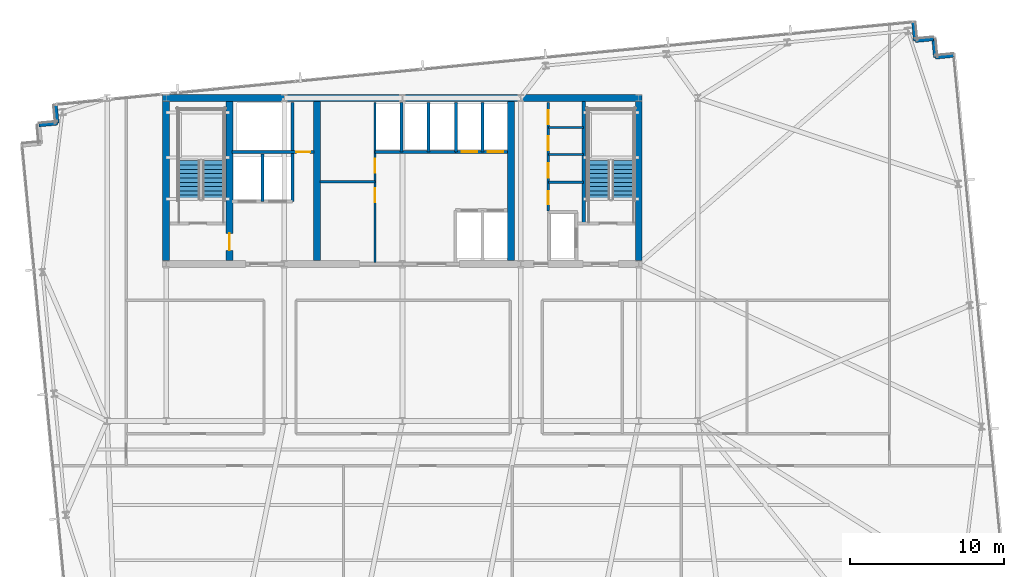
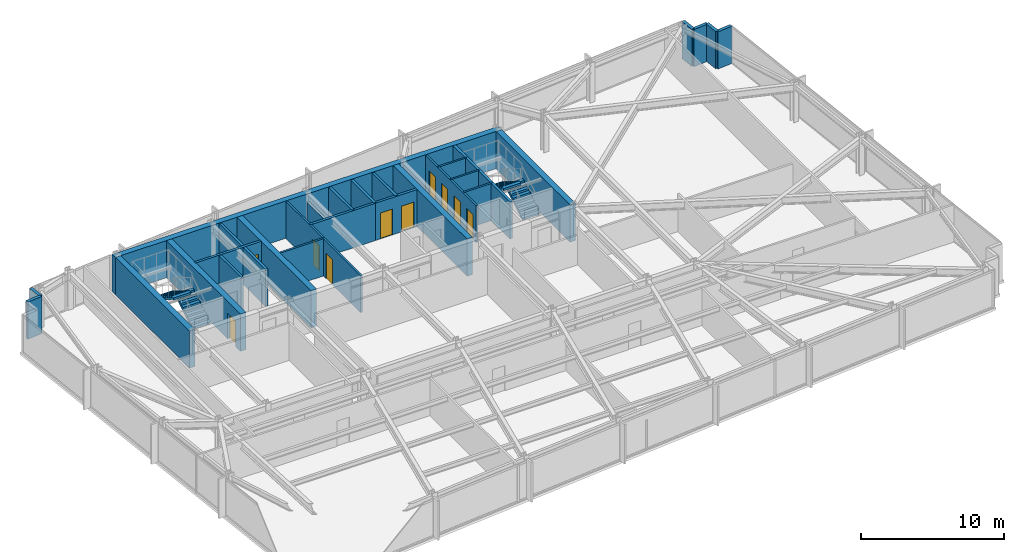
# One storey, part 26 of 32: 28 walls, 10 doors, 4 stair flights, 10 openings, 2 elements without a shape of their own.
"""IFC4 building model written with IfcOpenShell, lengths in metres."""

from ifc_helpers import new_model, si_unit, direction, frame, frame_2d, origin, place, context, subcontext, project, spatial, polyline, rectangle, outline, extrude, material, layer, layer_set, type_object, element, fill, aggregate, save


model = new_model("IFC4")

# Units and contexts
model_context = context("Model", 3, precision=1e-05, world=origin(), true_north=direction((0.0, 1.0)))
body_context = subcontext(model_context, "Body", "Model", "MODEL_VIEW")
ifc_project = project(units=[si_unit("LENGTHUNIT", "METRE"), si_unit("AREAUNIT", "SQUARE_METRE"), si_unit("VOLUMEUNIT", "CUBIC_METRE"), si_unit("PLANEANGLEUNIT", "RADIAN"), si_unit("MASSUNIT", "GRAM", prefix="KILO")], contexts=[model_context])

# Site, building, storey
site_placement = place(None, origin())
site = spatial("IfcSite", under=ifc_project, at=site_placement, CompositionType="ELEMENT")
building_placement = place(site_placement, origin())
building = spatial("IfcBuilding", under=site, at=building_placement, Name="Yelkora Congress Tower", CompositionType="ELEMENT")
storey_placement = place(building_placement, frame((0.0, 0.0, 103.300048828125)))
storey = spatial("IfcBuildingStorey", under=building, at=storey_placement, Name="L27", CompositionType="ELEMENT", Elevation=103.300048828125)

# Walls
ifc_material_1 = material(Name="Concrete C50/60", Category="concrete")
ifc_layer_1 = layer(ifc_material_1, 0.219970703125)
ifc_layer_set_1 = layer_set([ifc_layer_1], Name="Concrete C50/60")
wall_type_1 = type_object("IfcWallType", Name="WALL-CORE-INT-220", PredefinedType="SHEAR", material=ifc_layer_set_1)
wall_1_placement = place(storey_placement, frame((50.179931640625, 38.050048828125, 0.0), z_axis=(0.0, 0.0, 1.0), x_axis=(0.0, 1.0, 0.0)))
element("IfcWall", 1, at=wall_1_placement, inside=storey, type_object=wall_type_1, Name="L27 ST02 West Stair Shear Wall", PredefinedType="SHEAR", context=body_context, shape_type="SweptSolid", body=[
    extrude(rectangle(XDim=7.925048828125, YDim=0.219970703125, at=frame_2d((3.96240234375, 0.0))), origin(), (0.0, 0.0, 1.0), 3.179931640625),
])
ifc_material_2 = material(Name="Concrete C60/75", Category="concrete")
ifc_layer_2 = layer(ifc_material_2, 0.449951171875)
ifc_layer_set_2 = layer_set([ifc_layer_2], Name="Concrete C60/75")
wall_type_2 = type_object("IfcWallType", Name="WALL-CORE-INT-450", PredefinedType="SHEAR", material=ifc_layer_set_2)
wall_2_placement = place(storey_placement, frame((22.81494140625, 46.199951171875, 0.0), z_axis=(0.0, 0.0, 1.0), x_axis=(1.0, 0.0, 0.0)))
element("IfcWall", 2, at=wall_2_placement, inside=storey, type_object=wall_type_2, Name="L27 Rear Core North Shear Wall", PredefinedType="SHEAR", context=body_context, shape_type="SweptSolid", body=[
    extrude(rectangle(XDim=31.170166015625, YDim=0.449951171875, at=frame_2d((15.5849609375, 0.0))), origin(), (0.0, 0.0, 1.0), 3.179931640625),
])
wall_3_placement = place(storey_placement, frame((23.0400390625, 35.625, 0.0), z_axis=(0.0, 0.0, 1.0), x_axis=(0.0, 1.0, 0.0)))
element("IfcWall", 3, at=wall_3_placement, inside=storey, type_object=wall_type_2, Name="L27 Rear Core Cross Shear Wall W", PredefinedType="SHEAR", context=body_context, shape_type="SweptSolid", body=[
    extrude(rectangle(XDim=10.35009765625, YDim=0.449951171875, at=frame_2d((5.175048828125, 0.0))), origin(), (0.0, 0.0, 1.0), 3.179931640625),
])

# Wall, opening, door
wall_4_placement = place(storey_placement, frame((27.14990234375, 35.625, 0.0), z_axis=(0.0, 0.0, 1.0), x_axis=(0.0, 1.0, 0.0)))
wall_4 = element("IfcWall", 4, at=wall_4_placement, inside=storey, type_object=wall_type_2, Name="L27 Rear Core Cross Shear Wall C1", PredefinedType="SHEAR", context=body_context, shape_type="SweptSolid", body=[
    extrude(rectangle(XDim=10.35009765625, YDim=0.449951171875, at=frame_2d((5.175048828125, 0.0))), origin(), (0.0, 0.0, 1.0), 3.179931640625),
])
opening_1_placement = place(wall_4_placement, frame((0.675048828125, 0.0, 0.0)))
opening_1 = element("IfcOpeningElement", 5, at=opening_1_placement, cuts=wall_4, Name="Opening DR-110F9", PredefinedType="OPENING", context=body_context, shape_type="SweptSolid", body=[
    extrude(rectangle(XDim=1.10009765625, YDim=2.14990234375, at=frame_2d((0.550048828125, 1.074951171875))), frame((0.0, 0.23486328125, 0.0), z_axis=(0.0, -1.0, 0.0), x_axis=(1.0, 0.0, 0.0)), (0.0, 0.0, 1.0), 0.469970703125),
])
ifc_material_3 = material(Name="Galvanised steel fire door leaf", Category="steel")
door_type_1 = type_object("IfcDoorType", Name="DOOR-FD90-1100", OperationType="NOTDEFINED", PredefinedType="DOOR", material=ifc_material_3)
door_1_placement = place(opening_1_placement, origin())
door_1 = element("IfcDoor", 6, at=door_1_placement, inside=storey, type_object=door_type_1, Name="L27 Firefighting Stair Transfer Door", OperationType="SINGLE_SWING_LEFT", OverallHeight=2.14990234375, OverallWidth=1.10009765625, PredefinedType="DOOR", context=body_context, shape_type="SweptSolid", body=[
    extrude(rectangle(XDim=1.10009765625, YDim=2.14990234375, at=frame_2d((0.550048828125, 1.074951171875))), frame((0.0, 0.02490234375, 0.0), z_axis=(0.0, -1.0, 0.0), x_axis=(1.0, 0.0, 0.0)), (0.0, 0.0, 1.0), 0.050048828125),
])
fill(opening_1, door_1)

# Walls
for number, where, z_axis, x_axis, name in (
    (7, (32.85009765625, 35.625, 0.0), (0.0, 0.0, 1.0), (0.0, 1.0, 0.0), "L27 Rear Core Cross Shear Wall C2"),
    (8, (45.449951171875, 35.625, 0.0), (0.0, 0.0, 1.0), (0.0, 1.0, 0.0), "L27 Rear Core Cross Shear Wall C3"),
    (9, (53.760009765625, 35.625, 0.0), (0.0, 0.0, 1.0), (0.0, 1.0, 0.0), "L27 Rear Core Cross Shear Wall E"),
):
    element("IfcWall", number, at=place(storey_placement, frame(where, z_axis=z_axis, x_axis=x_axis)), inside=storey, type_object=wall_type_2, Name=name, PredefinedType="SHEAR", context=body_context, shape_type="SweptSolid", body=[
        extrude(rectangle(XDim=10.35009765625, YDim=0.449951171875, at=frame_2d((5.175048828125, 0.0))), origin(), (0.0, 0.0, 1.0), 3.179931640625),
    ])
ifc_material_4 = material(Name="Concrete C40/50", Category="concrete")
ifc_layer_3 = layer(ifc_material_4, 0.239990234375)
ifc_layer_set_3 = layer_set([ifc_layer_3], Name="Concrete C40/50")
wall_type_3 = type_object("IfcWallType", Name="WALL-EXT-LIMESTONE-240", PredefinedType="SOLIDWALL", material=ifc_layer_set_3)
for number, where, z_axis, x_axis, name in (
    (10, (14.7705078125, 44.436279296875, 0.0), (0.0, 0.0, 1.0), (0.995397091755, 0.095836473879, 0.0), "L27 Serrated Corner Limestone Pier 8"),
    (11, (15.96484375, 44.55126953125, 0.0), (0.0, 0.0, 1.0), (-0.095836473879, 0.995397091755, 0.0), "L27 Serrated Corner Limestone Pier 9"),
):
    element("IfcWall", number, at=place(storey_placement, frame(where, z_axis=z_axis, x_axis=x_axis)), inside=storey, type_object=wall_type_3, Name=name, PredefinedType="SOLIDWALL", context=body_context, shape_type="SweptSolid", body=[
        extrude(rectangle(XDim=1.199951171875, YDim=0.239990234375, at=frame_2d((0.60009765625, 0.0))), origin(), (0.0, 0.0, 1.0), 3.179931640625),
    ])
for number, where, z_axis, x_axis, name in (
    (12, (71.61181640625, 51.114990234375, 0.0), (0.0, 0.0, 1.0), (0.095817067274, -0.995398960025, 0.0), "L27 Serrated Corner Limestone Pier 11"),
    (13, (71.726806640625, 49.92041015625, 0.0), (0.0, 0.0, 1.0), (0.995398960025, 0.095817067274, 0.0), "L27 Serrated Corner Limestone Pier 12"),
    (14, (72.92138671875, 50.035400390625, 0.0), (0.0, 0.0, 1.0), (0.095817067274, -0.995398960025, 0.0), "L27 Serrated Corner Limestone Pier 13"),
    (15, (73.036376953125, 48.8408203125, 0.0), (0.0, 0.0, 1.0), (0.995379537303, 0.096018626938, 0.0), "L27 Serrated Corner Limestone Pier 14"),
):
    element("IfcWall", number, at=place(storey_placement, frame(where, z_axis=z_axis, x_axis=x_axis)), inside=storey, type_object=wall_type_3, Name=name, PredefinedType="SOLIDWALL", context=body_context, shape_type="SweptSolid", body=[
        extrude(rectangle(XDim=1.2001953125, YDim=0.239990234375, at=frame_2d((0.60009765625, 0.0))), origin(), (0.0, 0.0, 1.0), 3.179931640625),
    ])
ifc_material_5 = material(Name="Acoustic metal-stud gypsum partition", Category="gypsum")
ifc_layer_4 = layer(ifc_material_5, 0.14990234375)
ifc_layer_set_4 = layer_set([ifc_layer_4], Name="Acoustic metal-stud gypsum partition")
wall_type_4 = type_object("IfcWallType", Name="WALL-INT-150-NR", PredefinedType="PARTITIONING", material=ifc_layer_set_4)
for number, where, z_axis, x_axis, name in (
    (16, (47.8798828125, 40.719970703125, 0.0), (0.0, 0.0, 1.0), (1.0, 0.0, 0.0), "L27 Partition Wall 24"),
    (17, (47.8798828125, 42.52001953125, 0.0), (0.0, 0.0, 1.0), (1.0, 0.0, 0.0), "L27 Partition Wall 25"),
    (18, (47.8798828125, 44.280029296875, 0.0), (0.0, 0.0, 1.0), (1.0, 0.0, 0.0), "L27 Partition Wall 26"),
):
    element("IfcWall", number, at=place(storey_placement, frame(where, z_axis=z_axis, x_axis=x_axis)), inside=storey, type_object=wall_type_4, Name=name, PredefinedType="PARTITIONING", context=body_context, shape_type="SweptSolid", body=[
        extrude(rectangle(XDim=2.300048828125, YDim=0.14990234375, at=frame_2d((1.14990234375, 0.0))), origin(), (0.0, 0.0, 1.0), 3.179931640625),
    ])

# Wall, openings, doors
wall_5_placement = place(storey_placement, frame((47.8798828125, 38.85009765625, 0.0), z_axis=(0.0, 0.0, 1.0), x_axis=(0.0, 1.0, 0.0)))
wall_5 = element("IfcWall", 19, at=wall_5_placement, inside=storey, type_object=wall_type_4, Name="L27 Partition Wall 27", PredefinedType="PARTITIONING", context=body_context, shape_type="SweptSolid", body=[
    extrude(rectangle(XDim=7.06982421875, YDim=0.14990234375, at=frame_2d((3.534912109375, 0.0))), origin(), (0.0, 0.0, 1.0), 3.179931640625),
])
opening_2_placement = place(wall_5_placement, frame((0.449951171875, 0.0, 0.0)))
opening_2 = element("IfcOpeningElement", 20, at=opening_2_placement, cuts=wall_5, Name="Opening DR-085N", PredefinedType="OPENING", context=body_context, shape_type="SweptSolid", body=[
    extrude(rectangle(XDim=0.85009765625, YDim=2.14990234375, at=frame_2d((0.425048828125, 1.074951171875))), frame((0.0, 0.0849609375, 0.0), z_axis=(0.0, -1.0, 0.0), x_axis=(1.0, 0.0, 0.0)), (0.0, 0.0, 1.0), 0.169921875),
])
opening_3_placement = place(wall_5_placement, frame((2.14990234375, 0.0, 0.0)))
opening_3 = element("IfcOpeningElement", 21, at=opening_3_placement, cuts=wall_5, Name="Opening DR-095N", PredefinedType="OPENING", context=body_context, shape_type="SweptSolid", body=[
    extrude(rectangle(XDim=0.949951171875, YDim=2.14990234375, at=frame_2d((0.47509765625, 1.074951171875))), frame((0.0, 0.0849609375, 0.0), z_axis=(0.0, -1.0, 0.0), x_axis=(1.0, 0.0, 0.0)), (0.0, 0.0, 1.0), 0.169921875),
])
opening_4_placement = place(wall_5_placement, frame((3.949951171875, 0.0, 0.0)))
opening_4 = element("IfcOpeningElement", 22, at=opening_4_placement, cuts=wall_5, Name="Opening DR-090N", PredefinedType="OPENING", context=body_context, shape_type="SweptSolid", body=[
    extrude(rectangle(XDim=0.89990234375, YDim=2.14990234375, at=frame_2d((0.449951171875, 1.074951171875))), frame((0.0, 0.0849609375, 0.0), z_axis=(0.0, -1.0, 0.0), x_axis=(1.0, 0.0, 0.0)), (0.0, 0.0, 1.0), 0.169921875),
])
opening_5_placement = place(wall_5_placement, frame((5.64990234375, 0.0, 0.0)))
opening_5 = element("IfcOpeningElement", 23, at=opening_5_placement, cuts=wall_5, Name="Opening DR-090N", PredefinedType="OPENING", context=body_context, shape_type="SweptSolid", body=[
    extrude(rectangle(XDim=0.89990234375, YDim=2.14990234375, at=frame_2d((0.449951171875, 1.074951171875))), frame((0.0, 0.0849609375, 0.0), z_axis=(0.0, -1.0, 0.0), x_axis=(1.0, 0.0, 0.0)), (0.0, 0.0, 1.0), 0.169921875),
])
ifc_material_6 = material(Name="Laminate service store door leaf", Category="wood")
door_type_2 = type_object("IfcDoorType", Name="DOOR-INT-850", OperationType="NOTDEFINED", PredefinedType="DOOR", material=ifc_material_6)
door_2_placement = place(opening_2_placement, origin())
door_2 = element("IfcDoor", 24, at=door_2_placement, inside=storey, type_object=door_type_2, Name="L27 Janitor Room Door", OperationType="SINGLE_SWING_RIGHT", OverallHeight=2.14990234375, OverallWidth=0.85009765625, PredefinedType="DOOR", context=body_context, shape_type="SweptSolid", body=[
    extrude(rectangle(XDim=0.85009765625, YDim=2.14990234375, at=frame_2d((0.425048828125, 1.074951171875))), frame((0.0, 0.02490234375, 0.0), z_axis=(0.0, -1.0, 0.0), x_axis=(1.0, 0.0, 0.0)), (0.0, 0.0, 1.0), 0.050048828125),
])
fill(opening_2, door_2)
ifc_material_7 = material(Name="Moisture-resistant laminate door leaf", Category="wood")
door_type_3 = type_object("IfcDoorType", Name="DOOR-INT-900", OperationType="NOTDEFINED", PredefinedType="DOOR", material=ifc_material_7)
door_3_placement = place(opening_4_placement, origin())
door_3 = element("IfcDoor", 25, at=door_3_placement, inside=storey, type_object=door_type_3, Name="L27 Male WC Door", OperationType="SINGLE_SWING_RIGHT", OverallHeight=2.14990234375, OverallWidth=0.89990234375, PredefinedType="DOOR", context=body_context, shape_type="SweptSolid", body=[
    extrude(rectangle(XDim=0.89990234375, YDim=2.14990234375, at=frame_2d((0.449951171875, 1.074951171875))), frame((0.0, 0.02490234375, 0.0), z_axis=(0.0, -1.0, 0.0), x_axis=(1.0, 0.0, 0.0)), (0.0, 0.0, 1.0), 0.050048828125),
])
fill(opening_4, door_3)
door_4_placement = place(opening_5_placement, origin())
door_4 = element("IfcDoor", 26, at=door_4_placement, inside=storey, type_object=door_type_3, Name="L27 Female WC Door", OperationType="SINGLE_SWING_LEFT", OverallHeight=2.14990234375, OverallWidth=0.89990234375, PredefinedType="DOOR", context=body_context, shape_type="SweptSolid", body=[
    extrude(rectangle(XDim=0.89990234375, YDim=2.14990234375, at=frame_2d((0.449951171875, 1.074951171875))), frame((0.0, 0.02490234375, 0.0), z_axis=(0.0, -1.0, 0.0), x_axis=(1.0, 0.0, 0.0)), (0.0, 0.0, 1.0), 0.050048828125),
])
fill(opening_5, door_4)
ifc_material_8 = material(Name="Acoustic laminated timber office door", Category="wood")
door_type_4 = type_object("IfcDoorType", Name="DOOR-INT-950", OperationType="NOTDEFINED", PredefinedType="DOOR", material=ifc_material_8)
door_5_placement = place(opening_3_placement, origin())
door_5 = element("IfcDoor", 27, at=door_5_placement, inside=storey, type_object=door_type_4, Name="L27 Accessible WC Door", OperationType="SINGLE_SWING_LEFT", OverallHeight=2.14990234375, OverallWidth=0.949951171875, PredefinedType="DOOR", context=body_context, shape_type="SweptSolid", body=[
    extrude(rectangle(XDim=0.949951171875, YDim=2.14990234375, at=frame_2d((0.47509765625, 1.074951171875))), frame((0.0, 0.02490234375, 0.0), z_axis=(0.0, -1.0, 0.0), x_axis=(1.0, 0.0, 0.0)), (0.0, 0.0, 1.0), 0.050048828125),
])
fill(opening_3, door_5)

# Wall
ifc_material_9 = material(Name="Twin-stud fire-rated gypsum partition", Category="gypsum")
ifc_layer_5 = layer(ifc_material_9, 0.14990234375)
ifc_layer_set_5 = layer_set([ifc_layer_5], Name="Twin-stud fire-rated gypsum partition")
wall_type_5 = type_object("IfcWallType", Name="WALL-INT-150-R60", PredefinedType="PARTITIONING", material=ifc_layer_set_5)
wall_6_placement = place(storey_placement, frame((33.050048828125, 40.75, 0.0), z_axis=(0.0, 0.0, 1.0), x_axis=(1.0, 0.0, 0.0)))
element("IfcWall", 28, at=wall_6_placement, inside=storey, type_object=wall_type_5, Name="L27 Partition Wall 11", PredefinedType="PARTITIONING", context=body_context, shape_type="SweptSolid", body=[
    extrude(rectangle(XDim=3.570068359375, YDim=0.14990234375, at=frame_2d((1.78515625, 0.0))), origin(), (0.0, 0.0, 1.0), 3.179931640625),
])

# Wall, openings, doors
wall_7_placement = place(storey_placement, frame((36.6201171875, 35.5, 0.0), z_axis=(0.0, 0.0, 1.0), x_axis=(0.0, 1.0, 0.0)))
wall_7 = element("IfcWall", 29, at=wall_7_placement, inside=storey, type_object=wall_type_5, Name="L27 Partition Wall 12", PredefinedType="PARTITIONING", context=body_context, shape_type="SweptSolid", body=[
    extrude(rectangle(XDim=10.419921875, YDim=0.14990234375, at=frame_2d((5.2099609375, 0.0))), origin(), (0.0, 0.0, 1.0), 3.179931640625),
])
opening_6_placement = place(wall_7_placement, frame((3.919921875, 0.0, 0.0)))
opening_6 = element("IfcOpeningElement", 30, at=opening_6_placement, cuts=wall_7, Name="Opening DR-090F6", PredefinedType="OPENING", context=body_context, shape_type="SweptSolid", body=[
    extrude(rectangle(XDim=0.89990234375, YDim=2.14990234375, at=frame_2d((0.449951171875, 1.074951171875))), frame((0.0, 0.0849609375, 0.0), z_axis=(0.0, -1.0, 0.0), x_axis=(1.0, 0.0, 0.0)), (0.0, 0.0, 1.0), 0.169921875),
])
opening_7_placement = place(wall_7_placement, frame((5.85009765625, 0.0, 0.0)))
opening_7 = element("IfcOpeningElement", 31, at=opening_7_placement, cuts=wall_7, Name="Opening DR-090F6", PredefinedType="OPENING", context=body_context, shape_type="SweptSolid", body=[
    extrude(rectangle(XDim=0.89990234375, YDim=2.14990234375, at=frame_2d((0.449951171875, 1.074951171875))), frame((0.0, 0.0849609375, 0.0), z_axis=(0.0, -1.0, 0.0), x_axis=(1.0, 0.0, 0.0)), (0.0, 0.0, 1.0), 0.169921875),
])
ifc_material_10 = material(Name="Painted steel riser fire door leaf", Category="steel")
door_type_5 = type_object("IfcDoorType", Name="DOOR-FD60-900", OperationType="NOTDEFINED", PredefinedType="DOOR", material=ifc_material_10)
door_6_placement = place(opening_6_placement, origin())
door_6 = element("IfcDoor", 32, at=door_6_placement, inside=storey, type_object=door_type_5, Name="L27 Telecom Store Door", OperationType="SINGLE_SWING_LEFT", OverallHeight=2.14990234375, OverallWidth=0.89990234375, PredefinedType="DOOR", context=body_context, shape_type="SweptSolid", body=[
    extrude(rectangle(XDim=0.89990234375, YDim=2.14990234375, at=frame_2d((0.449951171875, 1.074951171875))), frame((0.0, 0.02490234375, 0.0), z_axis=(0.0, -1.0, 0.0), x_axis=(1.0, 0.0, 0.0)), (0.0, 0.0, 1.0), 0.050048828125),
])
fill(opening_6, door_6)
door_7_placement = place(opening_7_placement, origin())
door_7 = element("IfcDoor", 33, at=door_7_placement, inside=storey, type_object=door_type_5, Name="L27 Archive Store Door", OperationType="SINGLE_SWING_RIGHT", OverallHeight=2.14990234375, OverallWidth=0.89990234375, PredefinedType="DOOR", context=body_context, shape_type="SweptSolid", body=[
    extrude(rectangle(XDim=0.89990234375, YDim=2.14990234375, at=frame_2d((0.449951171875, 1.074951171875))), frame((0.0, 0.02490234375, 0.0), z_axis=(0.0, -1.0, 0.0), x_axis=(1.0, 0.0, 0.0)), (0.0, 0.0, 1.0), 0.050048828125),
])
fill(opening_7, door_7)

# Walls
ifc_material_11 = material(Name="Autoclaved aerated concrete blockwork", Category="masonry")
ifc_layer_6 = layer(ifc_material_11, 0.199951171875)
ifc_layer_set_6 = layer_set([ifc_layer_6], Name="Autoclaved aerated concrete blockwork")
wall_type_6 = type_object("IfcWallType", Name="WALL-INT-200-R120", PredefinedType="PARTITIONING", material=ifc_layer_set_6)
wall_8_placement = place(storey_placement, frame((29.300048828125, 39.47998046875, 0.0), z_axis=(0.0, 0.0, 1.0), x_axis=(0.0, 1.0, 0.0)))
element("IfcWall", 34, at=wall_8_placement, inside=storey, type_object=wall_type_6, Name="L27 Partition Wall 4", PredefinedType="PARTITIONING", context=body_context, shape_type="SweptSolid", body=[
    extrude(rectangle(XDim=3.070068359375, YDim=0.199951171875, at=frame_2d((1.53515625, 0.0))), origin(), (0.0, 0.0, 1.0), 3.179931640625),
])
wall_9_placement = place(storey_placement, frame((31.260009765625, 39.47998046875, 0.0), z_axis=(0.0, 0.0, 1.0), x_axis=(0.0, 1.0, 0.0)))
element("IfcWall", 35, at=wall_9_placement, inside=storey, type_object=wall_type_6, Name="L27 Partition Wall 5", PredefinedType="PARTITIONING", context=body_context, shape_type="SweptSolid", body=[
    extrude(rectangle(XDim=6.43994140625, YDim=0.199951171875, at=frame_2d((3.219970703125, 0.0))), origin(), (0.0, 0.0, 1.0), 3.179931640625),
])

# Wall, opening, door
wall_10_placement = place(storey_placement, frame((27.320068359375, 42.679931640625, 0.0), z_axis=(0.0, 0.0, 1.0), x_axis=(1.0, 0.0, 0.0)))
wall_10 = element("IfcWall", 36, at=wall_10_placement, inside=storey, type_object=wall_type_6, Name="L27 Smoke Riser South Wall", PredefinedType="PARTITIONING", context=body_context, shape_type="SweptSolid", body=[
    extrude(rectangle(XDim=5.329833984375, YDim=0.199951171875, at=frame_2d((2.6650390625, 0.0))), origin(), (0.0, 0.0, 1.0), 3.179931640625),
])
opening_8_placement = place(wall_10_placement, frame((4.179931640625, 0.0, 0.0)))
opening_8 = element("IfcOpeningElement", 37, at=opening_8_placement, cuts=wall_10, Name="Opening DR-090F6", PredefinedType="OPENING", context=body_context, shape_type="SweptSolid", body=[
    extrude(rectangle(XDim=0.89990234375, YDim=2.14990234375, at=frame_2d((0.449951171875, 1.074951171875))), frame((0.0, 0.10986328125, 0.0), z_axis=(0.0, -1.0, 0.0), x_axis=(1.0, 0.0, 0.0)), (0.0, 0.0, 1.0), 0.219970703125),
])
door_8_placement = place(opening_8_placement, origin())
door_8 = element("IfcDoor", 38, at=door_8_placement, inside=storey, type_object=door_type_5, Name="L27 Riser Access Door", OperationType="SINGLE_SWING_LEFT", OverallHeight=2.14990234375, OverallWidth=0.89990234375, PredefinedType="DOOR", context=body_context, shape_type="SweptSolid", body=[
    extrude(rectangle(XDim=0.89990234375, YDim=2.14990234375, at=frame_2d((0.449951171875, 1.074951171875))), frame((0.0, 0.02490234375, 0.0), z_axis=(0.0, -1.0, 0.0), x_axis=(1.0, 0.0, 0.0)), (0.0, 0.0, 1.0), 0.050048828125),
])
fill(opening_8, door_8)

# Walls
wall_11_placement = place(storey_placement, frame((36.60009765625, 42.699951171875, 0.0), z_axis=(0.0, 0.0, 1.0), x_axis=(1.0, 0.0, 0.0)))
element("IfcWall", 39, at=wall_11_placement, inside=storey, type_object=wall_type_6, Name="L27 Partition Wall 8", PredefinedType="PARTITIONING", context=body_context, shape_type="SweptSolid", body=[
    extrude(rectangle(XDim=5.25, YDim=0.199951171875, at=frame_2d((2.625, 0.0))), origin(), (0.0, 0.0, 1.0), 3.179931640625),
])
wall_12_placement = place(storey_placement, frame((38.35009765625, 42.699951171875, 0.0), z_axis=(0.0, 0.0, 1.0), x_axis=(0.0, 1.0, 0.0)))
element("IfcWall", 40, at=wall_12_placement, inside=storey, type_object=wall_type_6, Name="L27 Partition Wall 9", PredefinedType="PARTITIONING", context=body_context, shape_type="SweptSolid", body=[
    extrude(rectangle(XDim=3.219970703125, YDim=0.199951171875, at=frame_2d((1.60986328125, 0.0))), origin(), (0.0, 0.0, 1.0), 2.52490234375),
])
wall_13_placement = place(storey_placement, frame((40.10009765625, 42.699951171875, 0.0), z_axis=(0.0, 0.0, 1.0), x_axis=(0.0, 1.0, 0.0)))
element("IfcWall", 41, at=wall_13_placement, inside=storey, type_object=wall_type_6, Name="L27 Partition Wall 10", PredefinedType="PARTITIONING", context=body_context, shape_type="SweptSolid", body=[
    extrude(rectangle(XDim=3.219970703125, YDim=0.199951171875, at=frame_2d((1.60986328125, 0.0))), origin(), (0.0, 0.0, 1.0), 3.179931640625),
])

# Wall, openings, doors
wall_14_placement = place(storey_placement, frame((41.85009765625, 42.699951171875, 0.0), z_axis=(0.0, 0.0, 1.0), x_axis=(1.0, 0.0, 0.0)))
wall_14 = element("IfcWall", 42, at=wall_14_placement, inside=storey, type_object=wall_type_6, Name="L27 Partition Wall 14", PredefinedType="PARTITIONING", context=body_context, shape_type="SweptSolid", body=[
    extrude(rectangle(XDim=3.369873046875, YDim=0.199951171875, at=frame_2d((1.68505859375, 0.0))), origin(), (0.0, 0.0, 1.0), 3.179931640625),
])
opening_9_placement = place(wall_14_placement, frame((0.39990234375, 0.0, 0.0)))
opening_9 = element("IfcOpeningElement", 43, at=opening_9_placement, cuts=wall_14, Name="Opening LD-PS10", PredefinedType="OPENING", context=body_context, shape_type="SweptSolid", body=[
    extrude(rectangle(XDim=1.0, YDim=2.199951171875, at=frame_2d((0.5, 1.10009765625))), frame((0.0, 0.10986328125, 0.0), z_axis=(0.0, -1.0, 0.0), x_axis=(1.0, 0.0, 0.0)), (0.0, 0.0, 1.0), 0.219970703125),
])
opening_10_placement = place(wall_14_placement, frame((2.10009765625, 0.0, 0.0)))
opening_10 = element("IfcOpeningElement", 44, at=opening_10_placement, cuts=wall_14, Name="Opening LD-PS10", PredefinedType="OPENING", context=body_context, shape_type="SweptSolid", body=[
    extrude(rectangle(XDim=1.0, YDim=2.199951171875, at=frame_2d((0.5, 1.10009765625))), frame((0.0, 0.10986328125, 0.0), z_axis=(0.0, -1.0, 0.0), x_axis=(1.0, 0.0, 0.0)), (0.0, 0.0, 1.0), 0.219970703125),
])
ifc_material_12 = material(Name="Champagne stainless steel landing door", Category="steel")
door_type_6 = type_object("IfcDoorType", Name="DOOR-LIFT-PAS-1000", OperationType="DOUBLE_DOOR_SLIDING", PredefinedType="DOOR", material=ifc_material_12)
door_9_placement = place(opening_9_placement, origin())
door_9 = element("IfcDoor", 45, at=door_9_placement, inside=storey, type_object=door_type_6, Name="Lift Landing Door LF-P7 L27", OperationType="DOUBLE_DOOR_SLIDING", OverallHeight=2.199951171875, OverallWidth=1.0, PredefinedType="DOOR", context=body_context, shape_type="SweptSolid", body=[
    extrude(rectangle(XDim=1.0, YDim=2.199951171875, at=frame_2d((0.5, 1.10009765625))), frame((0.0, 0.02490234375, 0.0), z_axis=(0.0, -1.0, 0.0), x_axis=(1.0, 0.0, 0.0)), (0.0, 0.0, 1.0), 0.050048828125),
])
fill(opening_9, door_9)
door_10_placement = place(opening_10_placement, origin())
door_10 = element("IfcDoor", 46, at=door_10_placement, inside=storey, type_object=door_type_6, Name="Lift Landing Door LF-P8 L27", OperationType="DOUBLE_DOOR_SLIDING", OverallHeight=2.199951171875, OverallWidth=1.0, PredefinedType="DOOR", context=body_context, shape_type="SweptSolid", body=[
    extrude(rectangle(XDim=1.0, YDim=2.199951171875, at=frame_2d((0.5, 1.10009765625))), frame((0.0, 0.02490234375, 0.0), z_axis=(0.0, -1.0, 0.0), x_axis=(1.0, 0.0, 0.0)), (0.0, 0.0, 1.0), 0.050048828125),
])
fill(opening_10, door_10)

# Walls
for number, where, z_axis, x_axis, name in (
    (47, (43.60009765625, 42.699951171875, 0.0), (0.0, 0.0, 1.0), (0.0, 1.0, 0.0), "L27 Partition Wall 16"),
    (48, (41.8798828125, 42.699951171875, 0.0), (0.0, 0.0, 1.0), (0.0, 1.0, 0.0), "L27 Partition Wall 18"),
):
    element("IfcWall", number, at=place(storey_placement, frame(where, z_axis=z_axis, x_axis=x_axis)), inside=storey, type_object=wall_type_6, Name=name, PredefinedType="PARTITIONING", context=body_context, shape_type="SweptSolid", body=[
        extrude(rectangle(XDim=3.219970703125, YDim=0.199951171875, at=frame_2d((1.60986328125, 0.0))), origin(), (0.0, 0.0, 1.0), 3.179931640625),
    ])

# Stair, stair flights
stair_type = type_object("IfcStairType", Name="STAIR-HT-1420-R20-170", PredefinedType="HALF_TURN_STAIR", material=ifc_material_4)
stair_1_placement = place(storey_placement, origin())
stair_1 = element("IfcStair", 49, at=stair_1_placement, inside=storey, type_object=stair_type, Name="West Core Protected Exit Stair ST-01 (L27)", PredefinedType="HALF_TURN_STAIR")
stair_flight_type = type_object("IfcStairFlightType", Name="FLIGHT-1420-N10-R170-G280", PredefinedType="STRAIGHT", material=ifc_material_4)
stair_flight_1_placement = place(storey_placement, frame((26.110107421875, 39.60009765625, 0.0), z_axis=(0.0, 0.0, 1.0), x_axis=(0.0, 1.0, 0.0)))
stair_flight_1 = element("IfcStairFlight", 50, at=stair_flight_1_placement, type_object=stair_flight_type, Name="ST-01 L27 Flight 1", NumberOfRisers=10, NumberOfTreads=9, PredefinedType="STRAIGHT", RiserHeight=0.17, TreadLength=0.28, context=body_context, shape_type="SweptSolid", body=[
    extrude(outline(polyline([(0.0, 0.0), (0.0, 0.169921875), (0.280029296875, 0.169921875), (0.280029296875, 0.340087890625), (0.56005859375, 0.340087890625), (0.56005859375, 0.510009765625), (0.840087890625, 0.510009765625), (0.840087890625, 0.679931640625), (1.1201171875, 0.679931640625), (1.1201171875, 0.85009765625), (1.39990234375, 0.85009765625), (1.39990234375, 1.02001953125), (1.679931640625, 1.02001953125), (1.679931640625, 1.18994140625), (1.9599609375, 1.18994140625), (1.9599609375, 1.360107421875), (2.239990234375, 1.360107421875), (2.239990234375, 1.530029296875), (2.52001953125, 1.530029296875), (2.52001953125, 1.699951171875), (2.52001953125, 1.343017578125), (0.30810546875, 0.0), (0.0, 0.0)])), frame((0.0, 0.7099609375, 0.0), z_axis=(0.0, -1.0, 0.0), x_axis=(1.0, 0.0, 0.0)), (0.0, 0.0, 1.0), 1.419921875),
])
stair_flight_2_placement = place(storey_placement, frame((24.530029296875, 42.1201171875, 1.699951171875), z_axis=(0.0, 0.0, 1.0), x_axis=(0.0, -1.0, 0.0)))
stair_flight_2 = element("IfcStairFlight", 51, at=stair_flight_2_placement, type_object=stair_flight_type, Name="ST-01 L27 Flight 2", NumberOfRisers=10, NumberOfTreads=9, PredefinedType="STRAIGHT", RiserHeight=0.17, TreadLength=0.28, context=body_context, shape_type="SweptSolid", body=[
    extrude(outline(polyline([(0.0, 0.0), (0.0, 0.169921875), (0.280029296875, 0.169921875), (0.280029296875, 0.340087890625), (0.56005859375, 0.340087890625), (0.56005859375, 0.510009765625), (0.840087890625, 0.510009765625), (0.840087890625, 0.679931640625), (1.1201171875, 0.679931640625), (1.1201171875, 0.85009765625), (1.39990234375, 0.85009765625), (1.39990234375, 1.02001953125), (1.679931640625, 1.02001953125), (1.679931640625, 1.18994140625), (1.9599609375, 1.18994140625), (1.9599609375, 1.360107421875), (2.239990234375, 1.360107421875), (2.239990234375, 1.530029296875), (2.52001953125, 1.530029296875), (2.52001953125, 1.699951171875), (2.52001953125, 1.343017578125), (0.30810546875, 0.0), (0.0, 0.0)])), frame((0.0, 0.7099609375, 0.0), z_axis=(0.0, -1.0, 0.0), x_axis=(1.0, 0.0, 0.0)), (0.0, 0.0, 1.0), 1.419921875),
])
aggregate(stair_1, [stair_flight_1, stair_flight_2])

stair_2_placement = place(storey_placement, origin())
stair_2 = element("IfcStair", 52, at=stair_2_placement, inside=storey, type_object=stair_type, Name="East Core Protected Exit Stair ST-02 (L27)", PredefinedType="HALF_TURN_STAIR")
stair_flight_3_placement = place(storey_placement, frame((52.75, 39.60009765625, 0.0), z_axis=(0.0, 0.0, 1.0), x_axis=(0.0, 1.0, 0.0)))
stair_flight_3 = element("IfcStairFlight", 53, at=stair_flight_3_placement, type_object=stair_flight_type, Name="ST-02 L27 Flight 1", NumberOfRisers=10, NumberOfTreads=9, PredefinedType="STRAIGHT", RiserHeight=0.17, TreadLength=0.28, context=body_context, shape_type="SweptSolid", body=[
    extrude(outline(polyline([(0.0, 0.0), (0.0, 0.169921875), (0.280029296875, 0.169921875), (0.280029296875, 0.340087890625), (0.56005859375, 0.340087890625), (0.56005859375, 0.510009765625), (0.840087890625, 0.510009765625), (0.840087890625, 0.679931640625), (1.1201171875, 0.679931640625), (1.1201171875, 0.85009765625), (1.39990234375, 0.85009765625), (1.39990234375, 1.02001953125), (1.679931640625, 1.02001953125), (1.679931640625, 1.18994140625), (1.9599609375, 1.18994140625), (1.9599609375, 1.360107421875), (2.239990234375, 1.360107421875), (2.239990234375, 1.530029296875), (2.52001953125, 1.530029296875), (2.52001953125, 1.699951171875), (2.52001953125, 1.343017578125), (0.30810546875, 0.0), (0.0, 0.0)])), frame((0.0, 0.7099609375, 0.0), z_axis=(0.0, -1.0, 0.0), x_axis=(1.0, 0.0, 0.0)), (0.0, 0.0, 1.0), 1.419921875),
])
stair_flight_4_placement = place(storey_placement, frame((51.169921875, 42.1201171875, 1.699951171875), z_axis=(0.0, 0.0, 1.0), x_axis=(0.0, -1.0, 0.0)))
stair_flight_4 = element("IfcStairFlight", 54, at=stair_flight_4_placement, type_object=stair_flight_type, Name="ST-02 L27 Flight 2", NumberOfRisers=10, NumberOfTreads=9, PredefinedType="STRAIGHT", RiserHeight=0.17, TreadLength=0.28, context=body_context, shape_type="SweptSolid", body=[
    extrude(outline(polyline([(0.0, 0.0), (0.0, 0.169921875), (0.280029296875, 0.169921875), (0.280029296875, 0.340087890625), (0.56005859375, 0.340087890625), (0.56005859375, 0.510009765625), (0.840087890625, 0.510009765625), (0.840087890625, 0.679931640625), (1.1201171875, 0.679931640625), (1.1201171875, 0.85009765625), (1.39990234375, 0.85009765625), (1.39990234375, 1.02001953125), (1.679931640625, 1.02001953125), (1.679931640625, 1.18994140625), (1.9599609375, 1.18994140625), (1.9599609375, 1.360107421875), (2.239990234375, 1.360107421875), (2.239990234375, 1.530029296875), (2.52001953125, 1.530029296875), (2.52001953125, 1.699951171875), (2.52001953125, 1.343017578125), (0.30810546875, 0.0), (0.0, 0.0)])), frame((0.0, 0.7099609375, 0.0), z_axis=(0.0, -1.0, 0.0), x_axis=(1.0, 0.0, 0.0)), (0.0, 0.0, 1.0), 1.419921875),
])
aggregate(stair_2, [stair_flight_3, stair_flight_4])

save(model, "model.ifc")
